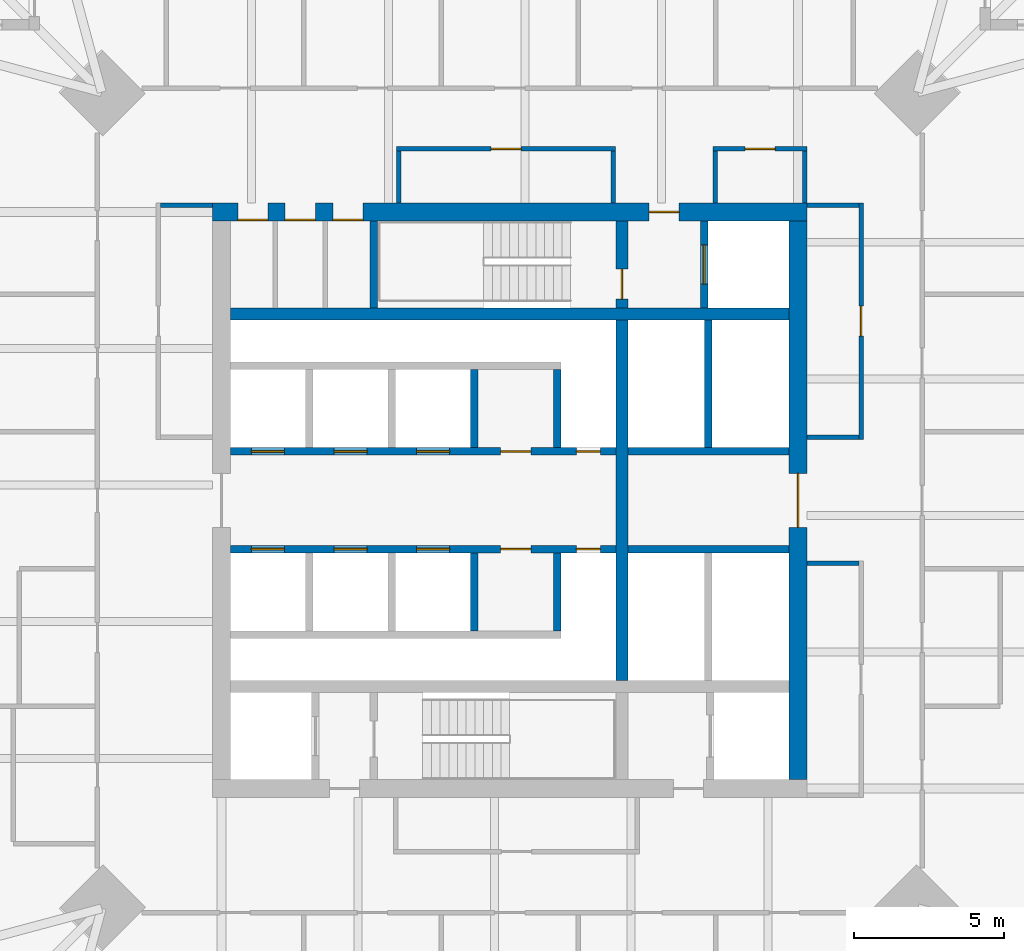
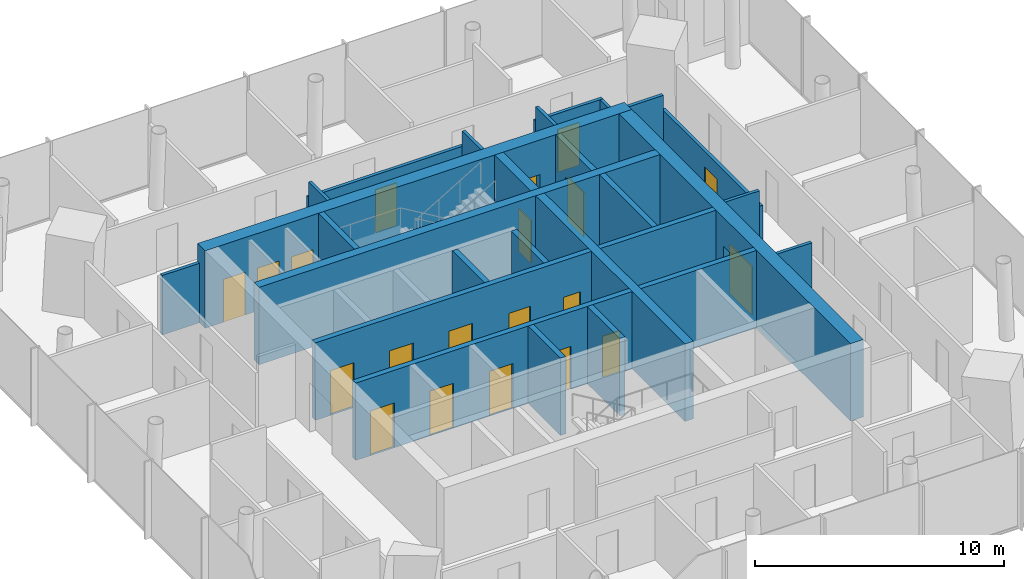
# One storey, part 5 of 7: 27 walls, 20 doors, 20 openings.
"""IFC4 building model written with IfcOpenShell, lengths in metres."""

import ifcopenshell
import ifcopenshell.guid

model = None  # the IFC model being written
_history = None  # IfcOwnerHistory: only IFC2X3 demands one
_inside = {}  # id of a spatial element -> (the spatial element, [elements in it])
_under = {}  # id of a project, library or spatial element -> (it, [spatial elements below it])
_declared = {}  # id of a project -> (the project, [libraries it declares])
_typed = {}  # id of a type object -> (the type object, [elements of that type])
_made_of = {}  # id of a material, layer set ... -> (it, [elements and type objects made of it])


def new_model(schema):
    """Start an empty IFC model of exactly this schema.

    Asked for "IFC4X3", IfcOpenShell would pick the latest addendum, in which some entities
    have other attributes; the version numbers below select the first issue.
    IFC2X3 requires an IfcOwnerHistory on every rooted entity: one is made here for all.
    """
    global model, _history
    if schema == "IFC4X3":
        model = ifcopenshell.file(schema_version=(4, 3, 0, 0))
    else:
        model = ifcopenshell.file(schema=schema)
    _inside.clear()
    _under.clear()
    _declared.clear()
    _typed.clear()
    _made_of.clear()
    _history = None
    if model.schema == "IFC2X3":
        org = make("IfcOrganization", Name="unknown")
        user = make(
            "IfcPersonAndOrganization",
            ThePerson=make("IfcPerson", FamilyName="unknown"),
            TheOrganization=org,
        )
        app = make(
            "IfcApplication",
            ApplicationDeveloper=org,
            Version="unknown",
            ApplicationFullName="unknown",
            ApplicationIdentifier="unknown",
        )
        _history = make(
            "IfcOwnerHistory",
            OwningUser=user,
            OwningApplication=app,
            ChangeAction="ADDED",
            CreationDate=0,
        )
    return model


def make(cls, **values):
    """One entity of the class cls with the attributes given. An attribute that is None is left unset."""
    return model.create_entity(
        cls, **{name: value for name, value in values.items() if value is not None}
    )


def rooted(cls, **values):
    """An entity with a GlobalId (a new one), such as an element, a storey or a relation."""
    return make(cls, GlobalId=ifcopenshell.guid.new(), OwnerHistory=_history, **values)


def si_unit(unit_type, name, prefix=None):
    """IfcSIUnit, for example si_unit("LENGTHUNIT", "METRE", prefix="MILLI")."""
    return make("IfcSIUnit", UnitType=unit_type, Prefix=prefix, Name=name)


def assignment(units):
    """IfcUnitAssignment: the units of a project."""
    return None if units is None else make("IfcUnitAssignment", Units=units)


def point(xyz):
    """IfcCartesianPoint."""
    return None if xyz is None else make("IfcCartesianPoint", Coordinates=xyz)


def direction(xyz):
    """IfcDirection."""
    return None if xyz is None else make("IfcDirection", DirectionRatios=xyz)


def frame(location, z_axis=None, x_axis=None):
    """IfcAxis2Placement3D, a coordinate frame: its origin and axes. An axis left out is left unset."""
    return make(
        "IfcAxis2Placement3D",
        Location=point(location),
        Axis=direction(z_axis),
        RefDirection=direction(x_axis),
    )


def frame_2d(location, x_axis=None):
    """IfcAxis2Placement2D, a coordinate frame in the plane: its origin and x axis."""
    return make(
        "IfcAxis2Placement2D", Location=point(location), RefDirection=direction(x_axis)
    )


def origin():
    """The frame at (0, 0, 0) with its axes left unset."""
    return frame((0.0, 0.0, 0.0))


def place(relative_to, where):
    """IfcLocalPlacement: puts the frame where relative to a parent placement (None: the world)."""
    return make(
        "IfcLocalPlacement", PlacementRelTo=relative_to, RelativePlacement=where
    )


def context(
    kind, dimensions, precision=None, world=None, true_north=None, identifier=None
):
    """IfcGeometricRepresentationContext, for example the 3D "Model" context."""
    return make(
        "IfcGeometricRepresentationContext",
        ContextIdentifier=identifier,
        ContextType=kind,
        CoordinateSpaceDimension=dimensions,
        Precision=precision,
        WorldCoordinateSystem=world,
        TrueNorth=true_north,
    )


def subcontext(parent, identifier, kind, view, scale=None):
    """IfcGeometricRepresentationSubContext, for example "Body" below "Model"."""
    return make(
        "IfcGeometricRepresentationSubContext",
        ContextIdentifier=identifier,
        ContextType=kind,
        ParentContext=parent,
        TargetScale=scale,
        TargetView=view,
    )


def project(units=None, contexts=None):
    """IfcProject with its units and contexts."""
    return rooted(
        "IfcProject",
        Name="project",
        RepresentationContexts=contexts,
        UnitsInContext=assignment(units),
    )


def spatial(cls, under=None, at=None, **own):
    """A site, building, storey or space (cls), placed at a placement, below another one or the project."""
    s = rooted(cls, ObjectPlacement=at, **own)
    if under is not None:
        _under.setdefault(under.id(), (under, []))[1].append(s)
    return s


def profile(cls, at=None, kind="AREA", **sizes):
    """A parametric profile (cls). Its sizes go by their IFC names, for example OverallWidth=200.0."""
    return make(cls, ProfileType=kind, Position=at, **sizes)


def rectangle(**sizes):
    """IfcRectangleProfileDef."""
    return profile("IfcRectangleProfileDef", **sizes)


def extrude(swept, where, along, depth):
    """IfcExtrudedAreaSolid: the profile swept, set in the frame where, extruded along a direction by depth."""
    return make(
        "IfcExtrudedAreaSolid",
        SweptArea=swept,
        Position=where,
        ExtrudedDirection=direction(along),
        Depth=depth,
    )


def shape(context_of_items, identifier, shape_type, items):
    """IfcShapeRepresentation: the items that make up one representation, for example the "Body"."""
    return make(
        "IfcShapeRepresentation",
        ContextOfItems=context_of_items,
        RepresentationIdentifier=identifier,
        RepresentationType=shape_type,
        Items=items,
    )


def material(Name=None, Category=None):
    """IfcMaterial."""
    return make("IfcMaterial", Name=Name, Category=Category)


def layer(
    of_material, thickness, ventilated=None, Name=None, Category=None, Priority=None
):
    """IfcMaterialLayer: one layer of a wall or slab, of a material (None: an air gap)."""
    return make(
        "IfcMaterialLayer",
        Material=of_material,
        LayerThickness=thickness,
        IsVentilated=ventilated,
        Name=Name,
        Category=Category,
        Priority=Priority,
    )


def layer_set(layers, Name=None):
    """IfcMaterialLayerSet."""
    return make("IfcMaterialLayerSet", MaterialLayers=layers, LayerSetName=Name)


def made_of(thing, what):
    """Note that an element or type object is made of a material, layer set ...; save() writes the relation."""
    if what is not None:
        _made_of.setdefault(what.id(), (what, []))[1].append(thing)
    return thing


def type_object(cls, material=None, **own):
    """A type object (cls), such as IfcWallType, which elements share."""
    return made_of(rooted(cls, **own), material)


def element(
    cls,
    number,
    at=None,
    inside=None,
    cuts=None,
    type_object=None,
    material=None,
    context=None,
    identifier="Body",
    shape_type=None,
    held_by="IfcProductDefinitionShape",
    body=None,
    shapes=None,
    **own,
):
    """One element of the class cls, such as IfcWall. Its Tag is "e" and its number.

    at: its placement. inside: the storey or other place that contains it. cuts: it is an
    opening in that element (IfcRelVoidsElement). A single representation is given by context,
    identifier, shape_type and body (its items); several are given by shapes. held_by: the class
    of the entity that holds the representations. save() writes the other relations.
    """
    e = rooted(cls, Tag="e%d" % number, ObjectPlacement=at, **own)
    if body is not None:
        shapes = [shape(context, identifier, shape_type, body)]
    if shapes is not None:
        e.Representation = make(held_by, Representations=shapes)
    if inside is not None:
        _inside.setdefault(inside.id(), (inside, []))[1].append(e)
    if cuts is not None:
        rooted(
            "IfcRelVoidsElement", RelatingBuildingElement=cuts, RelatedOpeningElement=e
        )
    if type_object is not None:
        _typed.setdefault(type_object.id(), (type_object, []))[1].append(e)
    return made_of(e, material)


def fill(opening, filler):
    """IfcRelFillsElement: the door or window that sits in an opening."""
    return rooted(
        "IfcRelFillsElement",
        RelatingOpeningElement=opening,
        RelatedBuildingElement=filler,
    )


def aggregate(whole, parts):
    """IfcRelAggregates: a whole, such as a stair, and the parts it consists of."""
    return rooted("IfcRelAggregates", RelatingObject=whole, RelatedObjects=parts)


def save(model, path):
    """Write the relations noted so far, then the file.

    IfcRelAggregates (storeys below a building ...), IfcRelContainedInSpatialStructure (elements
    in a storey), IfcRelDefinesByType, IfcRelAssociatesMaterial and IfcRelDeclares: one each for
    every whole, place, type object, material and project.
    """
    for whole, parts in _under.values():
        aggregate(whole, parts)
    for where, things in _inside.values():
        rooted(
            "IfcRelContainedInSpatialStructure",
            RelatedElements=things,
            RelatingStructure=where,
        )
    for kind, things in _typed.values():
        rooted("IfcRelDefinesByType", RelatedObjects=things, RelatingType=kind)
    for what, things in _made_of.values():
        rooted("IfcRelAssociatesMaterial", RelatedObjects=things, RelatingMaterial=what)
    for by, libraries in _declared.values():
        rooted("IfcRelDeclares", RelatingContext=by, RelatedDefinitions=libraries)
    model.write(path)


model = new_model("IFC4")

# Units and contexts
model_context = context("Model", 3, precision=1e-05, world=origin(), true_north=direction((0.0, 1.0)))
body_context = subcontext(model_context, "Body", "Model", "MODEL_VIEW")
ifc_project = project(units=[si_unit("LENGTHUNIT", "METRE"), si_unit("AREAUNIT", "SQUARE_METRE"), si_unit("VOLUMEUNIT", "CUBIC_METRE"), si_unit("PLANEANGLEUNIT", "RADIAN"), si_unit("MASSUNIT", "GRAM", prefix="KILO")], contexts=[model_context])

# Site, building, storey
site_placement = place(None, origin())
site = spatial("IfcSite", under=ifc_project, at=site_placement, CompositionType="ELEMENT")
building_placement = place(site_placement, origin())
building = spatial("IfcBuilding", under=site, at=building_placement, Name="Ostroluk Exchange", CompositionType="ELEMENT")
storey_placement = place(building_placement, frame((0.0, 0.0, 218.60009765625)))
storey = spatial("IfcBuildingStorey", under=building, at=storey_placement, Name="L56", CompositionType="ELEMENT", Elevation=218.60009765625)

# Walls
ifc_material_1 = material(Name="Concrete C50/60", Category="concrete")
ifc_layer_1 = layer(ifc_material_1, 0.39990234375)
ifc_layer_set_1 = layer_set([ifc_layer_1], Name="Core cross wall 400 C50/60")
wall_type_1 = type_object("IfcWallType", Name="Core cross wall 400 C50/60", PredefinedType="SHEAR", material=ifc_layer_set_1)
wall_1_placement = place(storey_placement, frame((35.699951171875, 52.199951171875, 0.0), z_axis=(0.0, 0.0, 1.0), x_axis=(1.0, 0.0, 0.0)))
element("IfcWall", 1, at=wall_1_placement, inside=storey, type_object=wall_type_1, Name="T1 core wall XN", PredefinedType="SHEAR", context=body_context, shape_type="SweptSolid", body=[
    extrude(rectangle(XDim=18.60009765625, YDim=0.39990234375, at=frame_2d((9.300048828125, 0.0))), origin(), (0.0, 0.0, 1.0), 3.7998046875),
])
wall_2_placement = place(storey_placement, frame((48.72998046875, 40.0, 0.0), z_axis=(0.0, 0.0, 1.0), x_axis=(0.0, 1.0, 0.0)))
element("IfcWall", 2, at=wall_2_placement, inside=storey, type_object=wall_type_1, Name="T1 core wall YE2", PredefinedType="SHEAR", context=body_context, shape_type="SweptSolid", body=[
    extrude(rectangle(XDim=12.0, YDim=0.39990234375, at=frame_2d((6.0, 0.0))), origin(), (0.0, 0.0, 1.0), 3.7998046875),
])

# Wall, opening, door
wall_3_placement = place(storey_placement, frame((48.72998046875, 52.39990234375, 0.0), z_axis=(0.0, 0.0, 1.0), x_axis=(0.0, 1.0, 0.0)))
wall_3 = element("IfcWall", 3, at=wall_3_placement, inside=storey, type_object=wall_type_1, Name="T1 core wall YE3", PredefinedType="SHEAR", context=body_context, shape_type="SweptSolid", body=[
    extrude(rectangle(XDim=2.900146484375, YDim=0.39990234375, at=frame_2d((1.4501953125, 0.0))), origin(), (0.0, 0.0, 1.0), 3.7998046875),
])
opening_1_placement = place(wall_3_placement, frame((0.300048828125, 0.0, 0.0)))
opening_1 = element("IfcOpeningElement", 4, at=opening_1_placement, cuts=wall_3, Name="Opening FD60", PredefinedType="OPENING", context=body_context, shape_type="SweptSolid", body=[
    extrude(rectangle(XDim=1.0, YDim=2.10009765625, at=frame_2d((0.5, 1.050048828125))), frame((0.0, 0.2099609375, 0.0), z_axis=(0.0, -1.0, 0.0), x_axis=(1.0, 0.0, 0.0)), (0.0, 0.0, 1.0), 0.419921875),
])
ifc_material_2 = material(Name="Steel", Category="steel")
door_type_1 = type_object("IfcDoorType", Name="Fire door EI 60 1000 x 2100", OperationType="SINGLE_SWING_LEFT", PredefinedType="DOOR", material=ifc_material_2)
door_1_placement = place(opening_1_placement, origin())
door_1 = element("IfcDoor", 5, at=door_1_placement, inside=storey, type_object=door_type_1, Name="Stair T1-S2 door", OperationType="SINGLE_SWING_LEFT", OverallHeight=2.10009765625, OverallWidth=1.0, PredefinedType="DOOR", context=body_context, shape_type="SweptSolid", body=[
    extrude(rectangle(XDim=1.0, YDim=2.10009765625, at=frame_2d((0.5, 1.050048828125))), frame((0.0, 0.02490234375, 0.0), z_axis=(0.0, -1.0, 0.0), x_axis=(1.0, 0.0, 0.0)), (0.0, 0.0, 1.0), 0.050048828125),
])
fill(opening_1, door_1)

# Wall
ifc_material_3 = material(Name="Concrete C40/50", Category="concrete")
ifc_layer_2 = layer(ifc_material_3, 0.25)
ifc_layer_set_2 = layer_set([ifc_layer_2], Name="Core shaft wall 250")
wall_type_2 = type_object("IfcWallType", Name="Core shaft wall 250", PredefinedType="SHEAR", material=ifc_layer_set_2)
wall_4_placement = place(storey_placement, frame((40.47509765625, 52.39990234375, 0.0), z_axis=(0.0, 0.0, 1.0), x_axis=(0.0, 1.0, 0.0)))
element("IfcWall", 6, at=wall_4_placement, inside=storey, type_object=wall_type_2, Name="Stair shaft wall", PredefinedType="SHEAR", context=body_context, shape_type="SweptSolid", body=[
    extrude(rectangle(XDim=2.900146484375, YDim=0.25, at=frame_2d((1.4501953125, 0.0))), origin(), (0.0, 0.0, 1.0), 3.7998046875),
])

# Wall, opening, door
wall_5_placement = place(storey_placement, frame((51.47509765625, 52.39990234375, 0.0), z_axis=(0.0, 0.0, 1.0), x_axis=(0.0, 1.0, 0.0)))
wall_5 = element("IfcWall", 7, at=wall_5_placement, inside=storey, type_object=wall_type_2, Name="Firefighting lift shaft wall", PredefinedType="SHEAR", context=body_context, shape_type="SweptSolid", body=[
    extrude(rectangle(XDim=2.900146484375, YDim=0.25, at=frame_2d((1.4501953125, 0.0))), origin(), (0.0, 0.0, 1.0), 3.7998046875),
])
opening_2_placement = place(wall_5_placement, frame((0.800048828125, 0.0, 0.0)))
opening_2 = element("IfcOpeningElement", 8, at=opening_2_placement, cuts=wall_5, Name="Opening LD2", PredefinedType="OPENING", context=body_context, shape_type="SweptSolid", body=[
    extrude(rectangle(XDim=1.300048828125, YDim=2.199951171875, at=frame_2d((0.64990234375, 1.10009765625))), frame((0.0, 0.135009765625, 0.0), z_axis=(0.0, -1.0, 0.0), x_axis=(1.0, 0.0, 0.0)), (0.0, 0.0, 1.0), 0.27001953125),
])
ifc_material_4 = material(Name="Stainless steel", Category="steel")
door_type_2 = type_object("IfcDoorType", Name="Lift landing door E 60 1300 x 2200", OperationType="DOUBLE_DOOR_SLIDING", PredefinedType="DOOR", material=ifc_material_4)
door_2_placement = place(opening_2_placement, origin())
door_2 = element("IfcDoor", 9, at=door_2_placement, inside=storey, type_object=door_type_2, Name="Lift FL2 landing door", OperationType="DOUBLE_DOOR_SLIDING", OverallHeight=2.199951171875, OverallWidth=1.300048828125, PredefinedType="DOOR", context=body_context, shape_type="SweptSolid", body=[
    extrude(rectangle(XDim=1.300048828125, YDim=2.199951171875, at=frame_2d((0.64990234375, 1.10009765625))), frame((0.0, 0.02490234375, 0.0), z_axis=(0.0, -1.0, 0.0), x_axis=(1.0, 0.0, 0.0)), (0.0, 0.0, 1.0), 0.050048828125),
])
fill(opening_2, door_2)

# Walls
for number, where, z_axis, x_axis, name in (
    (10, (43.824951171875, 47.75, 0.0), (0.0, 0.0, 1.0), (0.0, 1.0, 0.0), "Lift shaft wall"),
    (11, (46.574951171875, 47.75, 0.0), (0.0, 0.0, 1.0), (0.0, 1.0, 0.0), "Lift shaft wall"),
):
    element("IfcWall", number, at=place(storey_placement, frame(where, z_axis=z_axis, x_axis=x_axis)), inside=storey, type_object=wall_type_2, Name=name, PredefinedType="SHEAR", context=body_context, shape_type="SweptSolid", body=[
        extrude(rectangle(XDim=2.60009765625, YDim=0.25, at=frame_2d((1.300048828125, 0.0))), origin(), (0.0, 0.0, 1.0), 3.7998046875),
    ])

# Wall, openings, doors
wall_6_placement = place(storey_placement, frame((35.699951171875, 47.625, 0.0), z_axis=(0.0, 0.0, 1.0), x_axis=(1.0, 0.0, 0.0)))
wall_6 = element("IfcWall", 12, at=wall_6_placement, inside=storey, type_object=wall_type_2, Name="Lift shaft front wall", PredefinedType="SHEAR", context=body_context, shape_type="SweptSolid", body=[
    extrude(rectangle(XDim=12.830078125, YDim=0.25, at=frame_2d((6.4150390625, 0.0))), origin(), (0.0, 0.0, 1.0), 3.7998046875),
])
opening_3_placement = place(wall_6_placement, frame((0.699951171875, 0.0, 0.0)))
opening_3 = element("IfcOpeningElement", 13, at=opening_3_placement, cuts=wall_6, Name="Opening LD", PredefinedType="OPENING", context=body_context, shape_type="SweptSolid", body=[
    extrude(rectangle(XDim=1.10009765625, YDim=2.199951171875, at=frame_2d((0.550048828125, 1.10009765625))), frame((0.0, 0.135009765625, 0.0), z_axis=(0.0, -1.0, 0.0), x_axis=(1.0, 0.0, 0.0)), (0.0, 0.0, 1.0), 0.27001953125),
])
opening_4_placement = place(wall_6_placement, frame((3.449951171875, 0.0, 0.0)))
opening_4 = element("IfcOpeningElement", 14, at=opening_4_placement, cuts=wall_6, Name="Opening LD", PredefinedType="OPENING", context=body_context, shape_type="SweptSolid", body=[
    extrude(rectangle(XDim=1.10009765625, YDim=2.199951171875, at=frame_2d((0.550048828125, 1.10009765625))), frame((0.0, 0.135009765625, 0.0), z_axis=(0.0, -1.0, 0.0), x_axis=(1.0, 0.0, 0.0)), (0.0, 0.0, 1.0), 0.27001953125),
])
opening_5_placement = place(wall_6_placement, frame((6.199951171875, 0.0, 0.0)))
opening_5 = element("IfcOpeningElement", 15, at=opening_5_placement, cuts=wall_6, Name="Opening LD", PredefinedType="OPENING", context=body_context, shape_type="SweptSolid", body=[
    extrude(rectangle(XDim=1.10009765625, YDim=2.199951171875, at=frame_2d((0.550048828125, 1.10009765625))), frame((0.0, 0.135009765625, 0.0), z_axis=(0.0, -1.0, 0.0), x_axis=(1.0, 0.0, 0.0)), (0.0, 0.0, 1.0), 0.27001953125),
])
opening_6_placement = place(wall_6_placement, frame((9.0, 0.0, 0.0)))
opening_6 = element("IfcOpeningElement", 16, at=opening_6_placement, cuts=wall_6, Name="Opening FD60", PredefinedType="OPENING", context=body_context, shape_type="SweptSolid", body=[
    extrude(rectangle(XDim=1.0, YDim=2.10009765625, at=frame_2d((0.5, 1.050048828125))), frame((0.0, 0.135009765625, 0.0), z_axis=(0.0, -1.0, 0.0), x_axis=(1.0, 0.0, 0.0)), (0.0, 0.0, 1.0), 0.27001953125),
])
opening_7_placement = place(wall_6_placement, frame((11.514892578125, 0.0, 0.0)))
opening_7 = element("IfcOpeningElement", 17, at=opening_7_placement, cuts=wall_6, Name="Opening RD60", PredefinedType="OPENING", context=body_context, shape_type="SweptSolid", body=[
    extrude(rectangle(XDim=0.800048828125, YDim=2.0, at=frame_2d((0.39990234375, 1.0))), frame((0.0, 0.135009765625, 0.0), z_axis=(0.0, -1.0, 0.0), x_axis=(1.0, 0.0, 0.0)), (0.0, 0.0, 1.0), 0.27001953125),
])
door_3_placement = place(opening_6_placement, origin())
door_3 = element("IfcDoor", 18, at=door_3_placement, inside=storey, type_object=door_type_1, Name="Core room door", OperationType="SINGLE_SWING_RIGHT", OverallHeight=2.10009765625, OverallWidth=1.0, PredefinedType="DOOR", context=body_context, shape_type="SweptSolid", body=[
    extrude(rectangle(XDim=1.0, YDim=2.10009765625, at=frame_2d((0.5, 1.050048828125))), frame((0.0, 0.02490234375, 0.0), z_axis=(0.0, -1.0, 0.0), x_axis=(1.0, 0.0, 0.0)), (0.0, 0.0, 1.0), 0.050048828125),
])
fill(opening_6, door_3)
ifc_material_5 = material(Name="Stainless steel", Category="steel")
door_type_3 = type_object("IfcDoorType", Name="Lift landing door E 60 1100 x 2200", OperationType="DOUBLE_DOOR_SLIDING", PredefinedType="DOOR", material=ifc_material_5)
door_4_placement = place(opening_3_placement, origin())
door_4 = element("IfcDoor", 19, at=door_4_placement, inside=storey, type_object=door_type_3, Name="Lift PL-H1 landing door", OperationType="DOUBLE_DOOR_SLIDING", OverallHeight=2.199951171875, OverallWidth=1.10009765625, PredefinedType="DOOR", context=body_context, shape_type="SweptSolid", body=[
    extrude(rectangle(XDim=1.10009765625, YDim=2.199951171875, at=frame_2d((0.550048828125, 1.10009765625))), frame((0.0, 0.02490234375, 0.0), z_axis=(0.0, -1.0, 0.0), x_axis=(1.0, 0.0, 0.0)), (0.0, 0.0, 1.0), 0.050048828125),
])
fill(opening_3, door_4)
door_5_placement = place(opening_4_placement, origin())
door_5 = element("IfcDoor", 20, at=door_5_placement, inside=storey, type_object=door_type_3, Name="Lift PL-H2 landing door", OperationType="DOUBLE_DOOR_SLIDING", OverallHeight=2.199951171875, OverallWidth=1.10009765625, PredefinedType="DOOR", context=body_context, shape_type="SweptSolid", body=[
    extrude(rectangle(XDim=1.10009765625, YDim=2.199951171875, at=frame_2d((0.550048828125, 1.10009765625))), frame((0.0, 0.02490234375, 0.0), z_axis=(0.0, -1.0, 0.0), x_axis=(1.0, 0.0, 0.0)), (0.0, 0.0, 1.0), 0.050048828125),
])
fill(opening_4, door_5)
door_6_placement = place(opening_5_placement, origin())
door_6 = element("IfcDoor", 21, at=door_6_placement, inside=storey, type_object=door_type_3, Name="Lift PL-H3 landing door", OperationType="DOUBLE_DOOR_SLIDING", OverallHeight=2.199951171875, OverallWidth=1.10009765625, PredefinedType="DOOR", context=body_context, shape_type="SweptSolid", body=[
    extrude(rectangle(XDim=1.10009765625, YDim=2.199951171875, at=frame_2d((0.550048828125, 1.10009765625))), frame((0.0, 0.02490234375, 0.0), z_axis=(0.0, -1.0, 0.0), x_axis=(1.0, 0.0, 0.0)), (0.0, 0.0, 1.0), 0.050048828125),
])
fill(opening_5, door_6)
ifc_material_6 = material(Name="Steel", Category="steel")
door_type_4 = type_object("IfcDoorType", Name="Riser access door EI 60 800 x 2000", OperationType="SINGLE_SWING_LEFT", PredefinedType="DOOR", material=ifc_material_6)
door_7_placement = place(opening_7_placement, origin())
door_7 = element("IfcDoor", 22, at=door_7_placement, inside=storey, type_object=door_type_4, Name="Riser access door", OperationType="SINGLE_SWING_RIGHT", OverallHeight=2.0, OverallWidth=0.800048828125, PredefinedType="DOOR", context=body_context, shape_type="SweptSolid", body=[
    extrude(rectangle(XDim=0.800048828125, YDim=2.0, at=frame_2d((0.39990234375, 1.0))), frame((0.0, 0.02490234375, 0.0), z_axis=(0.0, -1.0, 0.0), x_axis=(1.0, 0.0, 0.0)), (0.0, 0.0, 1.0), 0.050048828125),
])
fill(opening_7, door_7)

# Walls
for number, where, z_axis, x_axis, name in (
    (23, (43.824951171875, 44.25, 0.0), (0.0, 0.0, 1.0), (0.0, -1.0, 0.0), "Lift shaft wall"),
    (24, (46.574951171875, 44.25, 0.0), (0.0, 0.0, 1.0), (0.0, -1.0, 0.0), "Lift shaft wall"),
):
    element("IfcWall", number, at=place(storey_placement, frame(where, z_axis=z_axis, x_axis=x_axis)), inside=storey, type_object=wall_type_2, Name=name, PredefinedType="SHEAR", context=body_context, shape_type="SweptSolid", body=[
        extrude(rectangle(XDim=2.60009765625, YDim=0.25, at=frame_2d((1.300048828125, 0.0))), origin(), (0.0, 0.0, 1.0), 3.7998046875),
    ])

# Wall, openings, doors
wall_7_placement = place(storey_placement, frame((35.699951171875, 44.375, 0.0), z_axis=(0.0, 0.0, 1.0), x_axis=(1.0, 0.0, 0.0)))
wall_7 = element("IfcWall", 25, at=wall_7_placement, inside=storey, type_object=wall_type_2, Name="Lift shaft front wall", PredefinedType="SHEAR", context=body_context, shape_type="SweptSolid", body=[
    extrude(rectangle(XDim=12.830078125, YDim=0.25, at=frame_2d((6.4150390625, 0.0))), origin(), (0.0, 0.0, 1.0), 3.7998046875),
])
opening_8_placement = place(wall_7_placement, frame((0.699951171875, 0.0, 0.0)))
opening_8 = element("IfcOpeningElement", 26, at=opening_8_placement, cuts=wall_7, Name="Opening LD", PredefinedType="OPENING", context=body_context, shape_type="SweptSolid", body=[
    extrude(rectangle(XDim=1.10009765625, YDim=2.199951171875, at=frame_2d((0.550048828125, 1.10009765625))), frame((0.0, 0.135009765625, 0.0), z_axis=(0.0, -1.0, 0.0), x_axis=(1.0, 0.0, 0.0)), (0.0, 0.0, 1.0), 0.27001953125),
])
opening_9_placement = place(wall_7_placement, frame((3.449951171875, 0.0, 0.0)))
opening_9 = element("IfcOpeningElement", 27, at=opening_9_placement, cuts=wall_7, Name="Opening LD", PredefinedType="OPENING", context=body_context, shape_type="SweptSolid", body=[
    extrude(rectangle(XDim=1.10009765625, YDim=2.199951171875, at=frame_2d((0.550048828125, 1.10009765625))), frame((0.0, 0.135009765625, 0.0), z_axis=(0.0, -1.0, 0.0), x_axis=(1.0, 0.0, 0.0)), (0.0, 0.0, 1.0), 0.27001953125),
])
opening_10_placement = place(wall_7_placement, frame((6.199951171875, 0.0, 0.0)))
opening_10 = element("IfcOpeningElement", 28, at=opening_10_placement, cuts=wall_7, Name="Opening LD", PredefinedType="OPENING", context=body_context, shape_type="SweptSolid", body=[
    extrude(rectangle(XDim=1.10009765625, YDim=2.199951171875, at=frame_2d((0.550048828125, 1.10009765625))), frame((0.0, 0.135009765625, 0.0), z_axis=(0.0, -1.0, 0.0), x_axis=(1.0, 0.0, 0.0)), (0.0, 0.0, 1.0), 0.27001953125),
])
opening_11_placement = place(wall_7_placement, frame((9.0, 0.0, 0.0)))
opening_11 = element("IfcOpeningElement", 29, at=opening_11_placement, cuts=wall_7, Name="Opening FD60", PredefinedType="OPENING", context=body_context, shape_type="SweptSolid", body=[
    extrude(rectangle(XDim=1.0, YDim=2.10009765625, at=frame_2d((0.5, 1.050048828125))), frame((0.0, 0.135009765625, 0.0), z_axis=(0.0, -1.0, 0.0), x_axis=(1.0, 0.0, 0.0)), (0.0, 0.0, 1.0), 0.27001953125),
])
opening_12_placement = place(wall_7_placement, frame((11.514892578125, 0.0, 0.0)))
opening_12 = element("IfcOpeningElement", 30, at=opening_12_placement, cuts=wall_7, Name="Opening RD60", PredefinedType="OPENING", context=body_context, shape_type="SweptSolid", body=[
    extrude(rectangle(XDim=0.800048828125, YDim=2.0, at=frame_2d((0.39990234375, 1.0))), frame((0.0, 0.135009765625, 0.0), z_axis=(0.0, -1.0, 0.0), x_axis=(1.0, 0.0, 0.0)), (0.0, 0.0, 1.0), 0.27001953125),
])
door_8_placement = place(opening_11_placement, origin())
door_8 = element("IfcDoor", 31, at=door_8_placement, inside=storey, type_object=door_type_1, Name="Core room door", OperationType="SINGLE_SWING_RIGHT", OverallHeight=2.10009765625, OverallWidth=1.0, PredefinedType="DOOR", context=body_context, shape_type="SweptSolid", body=[
    extrude(rectangle(XDim=1.0, YDim=2.10009765625, at=frame_2d((0.5, 1.050048828125))), frame((0.0, 0.02490234375, 0.0), z_axis=(0.0, -1.0, 0.0), x_axis=(1.0, 0.0, 0.0)), (0.0, 0.0, 1.0), 0.050048828125),
])
fill(opening_11, door_8)
door_9_placement = place(opening_8_placement, origin())
door_9 = element("IfcDoor", 32, at=door_9_placement, inside=storey, type_object=door_type_3, Name="Lift PL-H4 landing door", OperationType="DOUBLE_DOOR_SLIDING", OverallHeight=2.199951171875, OverallWidth=1.10009765625, PredefinedType="DOOR", context=body_context, shape_type="SweptSolid", body=[
    extrude(rectangle(XDim=1.10009765625, YDim=2.199951171875, at=frame_2d((0.550048828125, 1.10009765625))), frame((0.0, 0.02490234375, 0.0), z_axis=(0.0, -1.0, 0.0), x_axis=(1.0, 0.0, 0.0)), (0.0, 0.0, 1.0), 0.050048828125),
])
fill(opening_8, door_9)
door_10_placement = place(opening_9_placement, origin())
door_10 = element("IfcDoor", 33, at=door_10_placement, inside=storey, type_object=door_type_3, Name="Lift PL-H5 landing door", OperationType="DOUBLE_DOOR_SLIDING", OverallHeight=2.199951171875, OverallWidth=1.10009765625, PredefinedType="DOOR", context=body_context, shape_type="SweptSolid", body=[
    extrude(rectangle(XDim=1.10009765625, YDim=2.199951171875, at=frame_2d((0.550048828125, 1.10009765625))), frame((0.0, 0.02490234375, 0.0), z_axis=(0.0, -1.0, 0.0), x_axis=(1.0, 0.0, 0.0)), (0.0, 0.0, 1.0), 0.050048828125),
])
fill(opening_9, door_10)
door_11_placement = place(opening_10_placement, origin())
door_11 = element("IfcDoor", 34, at=door_11_placement, inside=storey, type_object=door_type_3, Name="Lift PL-H6 landing door", OperationType="DOUBLE_DOOR_SLIDING", OverallHeight=2.199951171875, OverallWidth=1.10009765625, PredefinedType="DOOR", context=body_context, shape_type="SweptSolid", body=[
    extrude(rectangle(XDim=1.10009765625, YDim=2.199951171875, at=frame_2d((0.550048828125, 1.10009765625))), frame((0.0, 0.02490234375, 0.0), z_axis=(0.0, -1.0, 0.0), x_axis=(1.0, 0.0, 0.0)), (0.0, 0.0, 1.0), 0.050048828125),
])
fill(opening_10, door_11)
door_12_placement = place(opening_12_placement, origin())
door_12 = element("IfcDoor", 35, at=door_12_placement, inside=storey, type_object=door_type_4, Name="Riser access door", OperationType="SINGLE_SWING_RIGHT", OverallHeight=2.0, OverallWidth=0.800048828125, PredefinedType="DOOR", context=body_context, shape_type="SweptSolid", body=[
    extrude(rectangle(XDim=0.800048828125, YDim=2.0, at=frame_2d((0.39990234375, 1.0))), frame((0.0, 0.02490234375, 0.0), z_axis=(0.0, -1.0, 0.0), x_axis=(1.0, 0.0, 0.0)), (0.0, 0.0, 1.0), 0.050048828125),
])
fill(opening_12, door_12)

# Walls
wall_8_placement = place(storey_placement, frame((51.614990234375, 47.75, 0.0), z_axis=(0.0, 0.0, 1.0), x_axis=(0.0, 1.0, 0.0)))
element("IfcWall", 36, at=wall_8_placement, inside=storey, type_object=wall_type_2, Name="Lift shaft wall", PredefinedType="SHEAR", context=body_context, shape_type="SweptSolid", body=[
    extrude(rectangle(XDim=4.25, YDim=0.25, at=frame_2d((2.125, 0.0))), origin(), (0.0, 0.0, 1.0), 3.7998046875),
])
for number, where, z_axis, x_axis, name in (
    (37, (48.929931640625, 47.625, 0.0), (0.0, 0.0, 1.0), (1.0, 0.0, 0.0), "Lift shaft front wall"),
    (38, (48.929931640625, 44.375, 0.0), (0.0, 0.0, 1.0), (1.0, 0.0, 0.0), "Lift shaft front wall"),
):
    element("IfcWall", number, at=place(storey_placement, frame(where, z_axis=z_axis, x_axis=x_axis)), inside=storey, type_object=wall_type_2, Name=name, PredefinedType="SHEAR", context=body_context, shape_type="SweptSolid", body=[
        extrude(rectangle(XDim=5.3701171875, YDim=0.25, at=frame_2d((2.68505859375, 0.0))), origin(), (0.0, 0.0, 1.0), 3.7998046875),
    ])

# Wall, openings, doors
ifc_material_7 = material(Name="Concrete C50/60", Category="concrete")
ifc_layer_3 = layer(ifc_material_7, 0.60009765625)
ifc_layer_set_3 = layer_set([ifc_layer_3], Name="Core wall 600 C50/60")
wall_type_3 = type_object("IfcWallType", Name="Core wall 600 C50/60", PredefinedType="SHEAR", material=ifc_layer_set_3)
wall_9_placement = place(storey_placement, frame((35.10009765625, 55.60009765625, 0.0), z_axis=(0.0, 0.0, 1.0), x_axis=(1.0, 0.0, 0.0)))
wall_9 = element("IfcWall", 39, at=wall_9_placement, inside=storey, type_object=wall_type_3, Name="T1 core wall N", PredefinedType="SHEAR", context=body_context, shape_type="SweptSolid", body=[
    extrude(rectangle(XDim=19.7998046875, YDim=0.60009765625, at=frame_2d((9.89990234375, 0.0))), origin(), (0.0, 0.0, 1.0), 3.7998046875),
])
opening_13_placement = place(wall_9_placement, frame((14.5400390625, 0.0, 0.0)))
opening_13 = element("IfcOpeningElement", 40, at=opening_13_placement, cuts=wall_9, Name="Opening FD60", PredefinedType="OPENING", context=body_context, shape_type="SweptSolid", body=[
    extrude(rectangle(XDim=1.0, YDim=2.10009765625, at=frame_2d((0.5, 1.050048828125))), frame((0.0, 0.31005859375, 0.0), z_axis=(0.0, -1.0, 0.0), x_axis=(1.0, 0.0, 0.0)), (0.0, 0.0, 1.0), 0.6201171875),
])
opening_14_placement = place(wall_9_placement, frame((0.85009765625, 0.0, 0.0)))
opening_14 = element("IfcOpeningElement", 41, at=opening_14_placement, cuts=wall_9, Name="Opening FD60", PredefinedType="OPENING", context=body_context, shape_type="SweptSolid", body=[
    extrude(rectangle(XDim=1.0, YDim=2.10009765625, at=frame_2d((0.5, 1.050048828125))), frame((0.0, 0.31005859375, 0.0), z_axis=(0.0, -1.0, 0.0), x_axis=(1.0, 0.0, 0.0)), (0.0, 0.0, 1.0), 0.6201171875),
])
opening_15_placement = place(wall_9_placement, frame((2.425048828125, 0.0, 0.0)))
opening_15 = element("IfcOpeningElement", 42, at=opening_15_placement, cuts=wall_9, Name="Opening FD60", PredefinedType="OPENING", context=body_context, shape_type="SweptSolid", body=[
    extrude(rectangle(XDim=1.0, YDim=2.10009765625, at=frame_2d((0.5, 1.050048828125))), frame((0.0, 0.31005859375, 0.0), z_axis=(0.0, -1.0, 0.0), x_axis=(1.0, 0.0, 0.0)), (0.0, 0.0, 1.0), 0.6201171875),
])
opening_16_placement = place(wall_9_placement, frame((4.011962890625, 0.0, 0.0)))
opening_16 = element("IfcOpeningElement", 43, at=opening_16_placement, cuts=wall_9, Name="Opening FD60", PredefinedType="OPENING", context=body_context, shape_type="SweptSolid", body=[
    extrude(rectangle(XDim=1.0, YDim=2.10009765625, at=frame_2d((0.5, 1.050048828125))), frame((0.0, 0.31005859375, 0.0), z_axis=(0.0, -1.0, 0.0), x_axis=(1.0, 0.0, 0.0)), (0.0, 0.0, 1.0), 0.6201171875),
])
door_13_placement = place(opening_13_placement, origin())
door_13 = element("IfcDoor", 44, at=door_13_placement, inside=storey, type_object=door_type_1, Name="Firefighting lobby door", OperationType="SINGLE_SWING_RIGHT", OverallHeight=2.10009765625, OverallWidth=1.0, PredefinedType="DOOR", context=body_context, shape_type="SweptSolid", body=[
    extrude(rectangle(XDim=1.0, YDim=2.10009765625, at=frame_2d((0.5, 1.050048828125))), frame((0.0, 0.02490234375, 0.0), z_axis=(0.0, -1.0, 0.0), x_axis=(1.0, 0.0, 0.0)), (0.0, 0.0, 1.0), 0.050048828125),
])
fill(opening_13, door_13)
door_14_placement = place(opening_14_placement, origin())
door_14 = element("IfcDoor", 45, at=door_14_placement, inside=storey, type_object=door_type_1, Name="Cleaner's store door", OperationType="SINGLE_SWING_LEFT", OverallHeight=2.10009765625, OverallWidth=1.0, PredefinedType="DOOR", context=body_context, shape_type="SweptSolid", body=[
    extrude(rectangle(XDim=1.0, YDim=2.10009765625, at=frame_2d((0.5, 1.050048828125))), frame((0.0, -0.23974609375, 0.0), z_axis=(0.0, -1.0, 0.0), x_axis=(1.0, 0.0, 0.0)), (0.0, 0.0, 1.0), 0.050048828125),
])
fill(opening_14, door_14)
door_15_placement = place(opening_15_placement, origin())
door_15 = element("IfcDoor", 46, at=door_15_placement, inside=storey, type_object=door_type_1, Name="Store door", OperationType="SINGLE_SWING_LEFT", OverallHeight=2.10009765625, OverallWidth=1.0, PredefinedType="DOOR", context=body_context, shape_type="SweptSolid", body=[
    extrude(rectangle(XDim=1.0, YDim=2.10009765625, at=frame_2d((0.5, 1.050048828125))), frame((0.0, -0.23974609375, 0.0), z_axis=(0.0, -1.0, 0.0), x_axis=(1.0, 0.0, 0.0)), (0.0, 0.0, 1.0), 0.050048828125),
])
fill(opening_15, door_15)
door_16_placement = place(opening_16_placement, origin())
door_16 = element("IfcDoor", 47, at=door_16_placement, inside=storey, type_object=door_type_1, Name="Comms room door", OperationType="SINGLE_SWING_LEFT", OverallHeight=2.10009765625, OverallWidth=1.0, PredefinedType="DOOR", context=body_context, shape_type="SweptSolid", body=[
    extrude(rectangle(XDim=1.0, YDim=2.10009765625, at=frame_2d((0.5, 1.050048828125))), frame((0.0, -0.23974609375, 0.0), z_axis=(0.0, -1.0, 0.0), x_axis=(1.0, 0.0, 0.0)), (0.0, 0.0, 1.0), 0.050048828125),
])
fill(opening_16, door_16)

# Wall, opening, door
wall_10_placement = place(storey_placement, frame((54.60009765625, 36.699951171875, 0.0), z_axis=(0.0, 0.0, 1.0), x_axis=(0.0, 1.0, 0.0)))
wall_10 = element("IfcWall", 48, at=wall_10_placement, inside=storey, type_object=wall_type_3, Name="T1 core wall E", PredefinedType="SHEAR", context=body_context, shape_type="SweptSolid", body=[
    extrude(rectangle(XDim=18.60009765625, YDim=0.60009765625, at=frame_2d((9.300048828125, 0.0))), origin(), (0.0, 0.0, 1.0), 3.7998046875),
])
opening_17_placement = place(wall_10_placement, frame((8.39990234375, 0.0, 0.0)))
opening_17 = element("IfcOpeningElement", 49, at=opening_17_placement, cuts=wall_10, Name="Opening FD30D", PredefinedType="OPENING", context=body_context, shape_type="SweptSolid", body=[
    extrude(rectangle(XDim=1.800048828125, YDim=2.39990234375, at=frame_2d((0.89990234375, 1.199951171875))), frame((0.0, 0.31005859375, 0.0), z_axis=(0.0, -1.0, 0.0), x_axis=(1.0, 0.0, 0.0)), (0.0, 0.0, 1.0), 0.6201171875),
])
ifc_material_8 = material(Name="Timber", Category="wood")
door_type_5 = type_object("IfcDoorType", Name="Lobby double door EI 30 1800 x 2400", OperationType="DOUBLE_DOOR_SINGLE_SWING", PredefinedType="DOOR", material=ifc_material_8)
door_17_placement = place(opening_17_placement, origin())
door_17 = element("IfcDoor", 50, at=door_17_placement, inside=storey, type_object=door_type_5, Name="Lift lobby doors", OperationType="DOUBLE_DOOR_SINGLE_SWING", OverallHeight=2.39990234375, OverallWidth=1.800048828125, PredefinedType="DOOR", context=body_context, shape_type="SweptSolid", body=[
    extrude(rectangle(XDim=1.800048828125, YDim=2.39990234375, at=frame_2d((0.89990234375, 1.199951171875))), frame((0.0, 0.02490234375, 0.0), z_axis=(0.0, -1.0, 0.0), x_axis=(1.0, 0.0, 0.0)), (0.0, 0.0, 1.0), 0.050048828125),
])
fill(opening_17, door_17)

# Wall
ifc_material_9 = material(Name="Gypsum plasterboard partition", Category="gypsum")
ifc_layer_4 = layer(ifc_material_9, 0.14990234375)
ifc_layer_set_4 = layer_set([ifc_layer_4], Name="Plasterboard partition 150")
wall_type_4 = type_object("IfcWallType", Name="Plasterboard partition 150", PredefinedType="PARTITIONING", material=ifc_layer_set_4)
wall_11_placement = place(storey_placement, frame((54.89990234375, 43.89990234375, 0.0), z_axis=(0.0, 0.0, 1.0), x_axis=(1.0, 0.0, 0.0)))
element("IfcWall", 51, at=wall_11_placement, inside=storey, type_object=wall_type_4, Name="Partition", PredefinedType="PARTITIONING", context=body_context, shape_type="SweptSolid", body=[
    extrude(rectangle(XDim=1.72509765625, YDim=0.14990234375, at=frame_2d((0.862548828125, 0.0))), origin(), (0.0, 0.0, 1.0), 3.619873046875),
])

# Wall, opening, door
wall_12_placement = place(storey_placement, frame((56.699951171875, 48.02490234375, 0.0), z_axis=(0.0, 0.0, 1.0), x_axis=(0.0, 1.0, 0.0)))
wall_12 = element("IfcWall", 52, at=wall_12_placement, inside=storey, type_object=wall_type_4, Name="Partition", PredefinedType="PARTITIONING", context=body_context, shape_type="SweptSolid", body=[
    extrude(rectangle(XDim=7.875, YDim=0.14990234375, at=frame_2d((3.9375, 0.0))), origin(), (0.0, 0.0, 1.0), 2.866943359375),
])
opening_18_placement = place(wall_12_placement, frame((3.4375, 0.0, 0.0)))
opening_18 = element("IfcOpeningElement", 53, at=opening_18_placement, cuts=wall_12, Name="Opening D-03", PredefinedType="OPENING", context=body_context, shape_type="SweptSolid", body=[
    extrude(rectangle(XDim=1.0, YDim=2.10009765625, at=frame_2d((0.5, 1.050048828125))), frame((0.0, 0.0849609375, 0.0), z_axis=(0.0, -1.0, 0.0), x_axis=(1.0, 0.0, 0.0)), (0.0, 0.0, 1.0), 0.169921875),
])
ifc_material_10 = material(Name="Timber", Category="wood")
door_type_6 = type_object("IfcDoorType", Name="Internal door 1000 x 2100", OperationType="SINGLE_SWING_LEFT", PredefinedType="DOOR", material=ifc_material_10)
door_18_placement = place(opening_18_placement, origin())
door_18 = element("IfcDoor", 54, at=door_18_placement, inside=storey, type_object=door_type_6, Name="Staff room door", OperationType="SINGLE_SWING_LEFT", OverallHeight=2.10009765625, OverallWidth=1.0, PredefinedType="DOOR", context=body_context, shape_type="SweptSolid", body=[
    extrude(rectangle(XDim=1.0, YDim=2.10009765625, at=frame_2d((0.5, 1.050048828125))), frame((0.0, 0.02490234375, 0.0), z_axis=(0.0, -1.0, 0.0), x_axis=(1.0, 0.0, 0.0)), (0.0, 0.0, 1.0), 0.050048828125),
])
fill(opening_18, door_18)

# Walls
for number, where, z_axis, x_axis, name in (
    (55, (54.89990234375, 48.10009765625, 0.0), (0.0, 0.0, 1.0), (1.0, 0.0, 0.0), "Partition"),
    (56, (54.89990234375, 55.824951171875, 0.0), (0.0, 0.0, 1.0), (1.0, 0.0, 0.0), "Partition"),
):
    element("IfcWall", number, at=place(storey_placement, frame(where, z_axis=z_axis, x_axis=x_axis)), inside=storey, type_object=wall_type_4, Name=name, PredefinedType="PARTITIONING", context=body_context, shape_type="SweptSolid", body=[
        extrude(rectangle(XDim=1.72509765625, YDim=0.14990234375, at=frame_2d((0.862548828125, 0.0))), origin(), (0.0, 0.0, 1.0), 3.619873046875),
    ])

# Wall, opening, door
wall_13_placement = place(storey_placement, frame((54.89990234375, 57.699951171875, 0.0), z_axis=(0.0, 0.0, 1.0), x_axis=(-1.0, 0.0, 0.0)))
wall_13 = element("IfcWall", 57, at=wall_13_placement, inside=storey, type_object=wall_type_4, Name="Partition", PredefinedType="PARTITIONING", context=body_context, shape_type="SweptSolid", body=[
    extrude(rectangle(XDim=3.135009765625, YDim=0.14990234375, at=frame_2d((1.5673828125, 0.0))), origin(), (0.0, 0.0, 1.0), 2.919921875),
])
opening_19_placement = place(wall_13_placement, frame((1.0673828125, 0.0, 0.0)))
opening_19 = element("IfcOpeningElement", 58, at=opening_19_placement, cuts=wall_13, Name="Opening D-03", PredefinedType="OPENING", context=body_context, shape_type="SweptSolid", body=[
    extrude(rectangle(XDim=1.0, YDim=2.10009765625, at=frame_2d((0.5, 1.050048828125))), frame((0.0, 0.0849609375, 0.0), z_axis=(0.0, -1.0, 0.0), x_axis=(1.0, 0.0, 0.0)), (0.0, 0.0, 1.0), 0.169921875),
])
door_19_placement = place(opening_19_placement, origin())
door_19 = element("IfcDoor", 59, at=door_19_placement, inside=storey, type_object=door_type_6, Name="Staff room door", OperationType="SINGLE_SWING_RIGHT", OverallHeight=2.10009765625, OverallWidth=1.0, PredefinedType="DOOR", context=body_context, shape_type="SweptSolid", body=[
    extrude(rectangle(XDim=1.0, YDim=2.10009765625, at=frame_2d((0.5, 1.050048828125))), frame((0.0, 0.02490234375, 0.0), z_axis=(0.0, -1.0, 0.0), x_axis=(1.0, 0.0, 0.0)), (0.0, 0.0, 1.0), 0.050048828125),
])
fill(opening_19, door_19)

# Walls
wall_14_placement = place(storey_placement, frame((54.824951171875, 55.89990234375, 0.0), z_axis=(0.0, 0.0, 1.0), x_axis=(0.0, 1.0, 0.0)))
element("IfcWall", 60, at=wall_14_placement, inside=storey, type_object=wall_type_4, Name="Partition", PredefinedType="PARTITIONING", context=body_context, shape_type="SweptSolid", body=[
    extrude(rectangle(XDim=1.72509765625, YDim=0.14990234375, at=frame_2d((0.862548828125, 0.0))), origin(), (0.0, 0.0, 1.0), 2.919921875),
])
wall_15_placement = place(storey_placement, frame((51.840087890625, 55.89990234375, 0.0), z_axis=(0.0, 0.0, 1.0), x_axis=(0.0, 1.0, 0.0)))
element("IfcWall", 61, at=wall_15_placement, inside=storey, type_object=wall_type_4, Name="Partition", PredefinedType="PARTITIONING", context=body_context, shape_type="SweptSolid", body=[
    extrude(rectangle(XDim=1.72509765625, YDim=0.14990234375, at=frame_2d((0.862548828125, 0.0))), origin(), (0.0, 0.0, 1.0), 3.619873046875),
])

# Wall, opening, door
wall_16_placement = place(storey_placement, frame((48.514892578125, 57.699951171875, 0.0), z_axis=(0.0, 0.0, 1.0), x_axis=(-1.0, 0.0, 0.0)))
wall_16 = element("IfcWall", 62, at=wall_16_placement, inside=storey, type_object=wall_type_4, Name="Partition", PredefinedType="PARTITIONING", context=body_context, shape_type="SweptSolid", body=[
    extrude(rectangle(XDim=7.27783203125, YDim=0.14990234375, at=frame_2d((3.638916015625, 0.0))), origin(), (0.0, 0.0, 1.0), 2.866943359375),
])
opening_20_placement = place(wall_16_placement, frame((3.138916015625, 0.0, 0.0)))
opening_20 = element("IfcOpeningElement", 63, at=opening_20_placement, cuts=wall_16, Name="Opening D-03", PredefinedType="OPENING", context=body_context, shape_type="SweptSolid", body=[
    extrude(rectangle(XDim=1.0, YDim=2.10009765625, at=frame_2d((0.5, 1.050048828125))), frame((0.0, 0.0849609375, 0.0), z_axis=(0.0, -1.0, 0.0), x_axis=(1.0, 0.0, 0.0)), (0.0, 0.0, 1.0), 0.169921875),
])
door_20_placement = place(opening_20_placement, origin())
door_20 = element("IfcDoor", 64, at=door_20_placement, inside=storey, type_object=door_type_6, Name="Staff room door", OperationType="SINGLE_SWING_RIGHT", OverallHeight=2.10009765625, OverallWidth=1.0, PredefinedType="DOOR", context=body_context, shape_type="SweptSolid", body=[
    extrude(rectangle(XDim=1.0, YDim=2.10009765625, at=frame_2d((0.5, 1.050048828125))), frame((0.0, 0.02490234375, 0.0), z_axis=(0.0, -1.0, 0.0), x_axis=(1.0, 0.0, 0.0)), (0.0, 0.0, 1.0), 0.050048828125),
])
fill(opening_20, door_20)

# Walls
for number, where, z_axis, x_axis, name in (
    (65, (48.43994140625, 55.89990234375, 0.0), (0.0, 0.0, 1.0), (0.0, 1.0, 0.0), "Partition"),
    (66, (41.31201171875, 55.89990234375, 0.0), (0.0, 0.0, 1.0), (0.0, 1.0, 0.0), "Partition"),
):
    element("IfcWall", number, at=place(storey_placement, frame(where, z_axis=z_axis, x_axis=x_axis)), inside=storey, type_object=wall_type_4, Name=name, PredefinedType="PARTITIONING", context=body_context, shape_type="SweptSolid", body=[
        extrude(rectangle(XDim=1.72509765625, YDim=0.14990234375, at=frame_2d((0.862548828125, 0.0))), origin(), (0.0, 0.0, 1.0), 3.619873046875),
    ])
wall_17_placement = place(storey_placement, frame((35.10009765625, 55.824951171875, 0.0), z_axis=(0.0, 0.0, 1.0), x_axis=(-1.0, 0.0, 0.0)))
element("IfcWall", 67, at=wall_17_placement, inside=storey, type_object=wall_type_4, Name="Partition", PredefinedType="PARTITIONING", context=body_context, shape_type="SweptSolid", body=[
    extrude(rectangle(XDim=1.72509765625, YDim=0.14990234375, at=frame_2d((0.862548828125, 0.0))), origin(), (0.0, 0.0, 1.0), 2.919921875),
])

save(model, "model.ifc")
